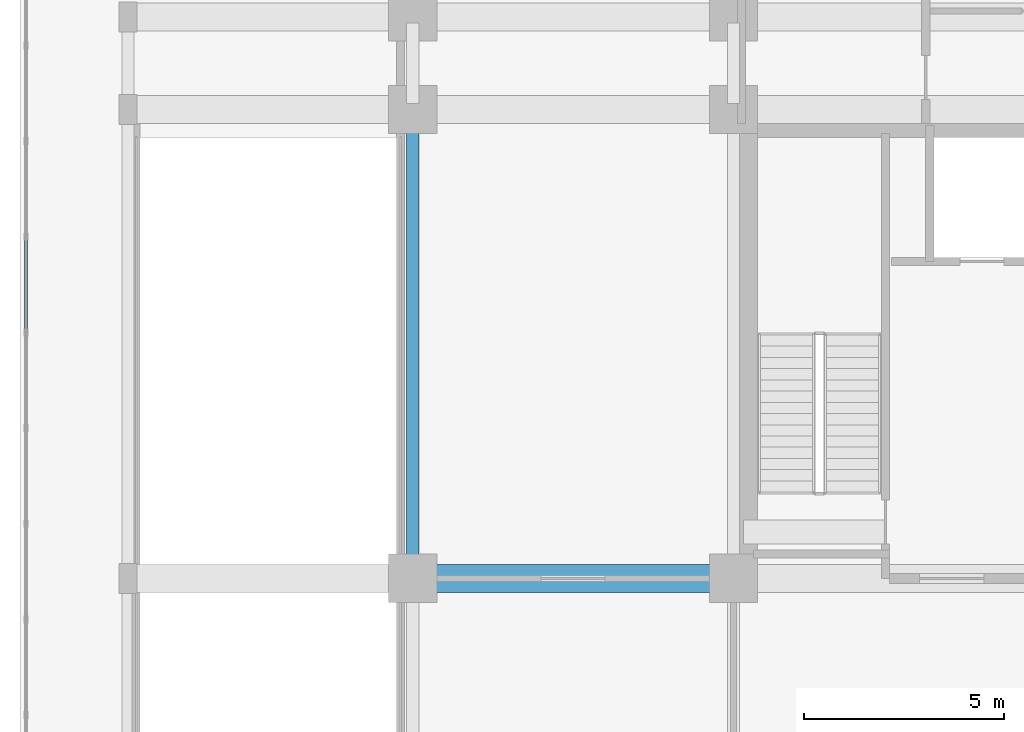
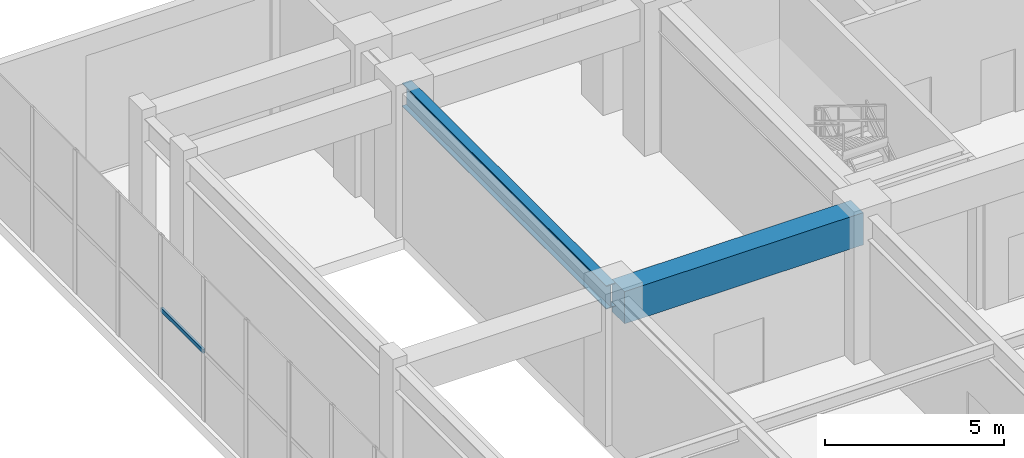
# One storey, part 15 of 40: 2 beams, 1 member, 1 element without a shape of its own.
"""IFC4 building model written with IfcOpenShell, lengths in metres."""

from ifc_helpers import new_model, si_unit, direction, frame, origin, origin_2d, place, context, subcontext, project, spatial, rectangle, hollow_rectangle, i_section, extrude, source, transform, mapped, material, material_profile, profile_set, type_object, element, aggregate, save


model = new_model("IFC4")

# Units and contexts
model_context = context("Model", 3, precision=1e-05, world=origin(), true_north=direction((0.0, 1.0)))
body_context = subcontext(model_context, "Body", "Model", "MODEL_VIEW")
ifc_project = project(units=[si_unit("LENGTHUNIT", "METRE"), si_unit("AREAUNIT", "SQUARE_METRE"), si_unit("VOLUMEUNIT", "CUBIC_METRE"), si_unit("PLANEANGLEUNIT", "RADIAN"), si_unit("MASSUNIT", "GRAM", prefix="KILO")], contexts=[model_context])

# Site, building, storey
site_placement = place(None, origin())
site = spatial("IfcSite", under=ifc_project, at=site_placement, CompositionType="ELEMENT")
building_placement = place(site_placement, origin())
building = spatial("IfcBuilding", under=site, at=building_placement, Name="Trelvane Seafront Commons", CompositionType="ELEMENT")
storey_placement = place(building_placement, origin())
storey = spatial("IfcBuildingStorey", under=building, at=storey_placement, Name="L00", CompositionType="ELEMENT", Elevation=0.0)

# Beams
ifc_material_1 = material(Name="Concrete C50/60", Category="concrete")
ifc_material_profile_1 = material_profile(ifc_material_1, rectangle(XDim=0.699951171875, YDim=1.10009765625, at=origin_2d()), Name="RC-700x1100")
ifc_profile_set_1 = profile_set([ifc_material_profile_1], Name="Concrete C50/60")
beam_type_1 = type_object("IfcBeamType", Name="STR-TBM-RC700x1100", PredefinedType="T_BEAM", material=ifc_profile_set_1)
shared_shape_1 = source(origin(), body_context, "Body", "SweptSolid", [
    extrude(rectangle(XDim=0.699951171875, YDim=1.10009765625, at=origin_2d()), origin(), (0.0, 0.0, 1.0), 7.699951171875),
])
beam_1_placement = place(storey_placement, frame((7.75, 33.39990234375, 4.330078125), z_axis=(1.0, 0.0, 0.0), x_axis=(0.0, 1.0, 0.0)))
element("IfcBeam", 1, at=beam_1_placement, inside=storey, type_object=beam_type_1, Name="L00 Primary Girder G-14", PredefinedType="T_BEAM", context=body_context, shape_type="MappedRepresentation", body=[
    mapped(shared_shape_1, transform((0.0, 0.0, 0.0), x_axis=(1.0, 0.0, 0.0), y_axis=(0.0, 1.0, 0.0), z_axis=(0.0, 0.0, 1.0), scale=1.0)),
])
ifc_material_2 = material(Name="Steel SM355 (S355)", Category="steel")
ifc_material_profile_2 = material_profile(ifc_material_2, i_section(OverallWidth=0.300048828125, OverallDepth=0.800048828125, WebThickness=0.013916015625, FlangeThickness=0.02587890625, at=origin_2d()), Name="H-800x300x14x26")
ifc_profile_set_2 = profile_set([ifc_material_profile_2], Name="Steel SM355 (S355)")
beam_type_2 = type_object("IfcBeamType", Name="STR-BM-H800", PredefinedType="BEAM", material=ifc_profile_set_2)
shared_shape_2 = source(origin(), body_context, "Body", "SweptSolid", [
    extrude(i_section(OverallWidth=0.300048828125, OverallDepth=0.800048828125, WebThickness=0.013916015625, FlangeThickness=0.02587890625, at=origin_2d()), origin(), (0.0, 0.0, 1.0), 11.39990234375),
])
beam_2_placement = place(storey_placement, frame((7.60009765625, 33.550048828125, 4.47998046875), z_axis=(0.0, 1.0, 0.0), x_axis=(-1.0, 0.0, 0.0)))
element("IfcBeam", 2, at=beam_2_placement, inside=storey, type_object=beam_type_2, Name="L00 Primary Girder G-37", PredefinedType="BEAM", context=body_context, shape_type="MappedRepresentation", body=[
    mapped(shared_shape_2, transform((0.0, 0.0, 0.0), x_axis=(1.0, 0.0, 0.0), y_axis=(0.0, 1.0, 0.0), z_axis=(0.0, 0.0, 1.0), scale=1.0)),
])

# Curtain wall, member
ifc_material_3 = material(Name="Anodised pale-silver aluminium", Category="aluminium")
curtain_wall_type = type_object("IfcCurtainWallType", Name="ARCH-CW4-SKYLOBBY", PredefinedType="NOTDEFINED", material=ifc_material_3)
curtain_wall_placement = place(storey_placement, origin())
curtain_wall = element("IfcCurtainWall", 3, at=curtain_wall_placement, inside=storey, type_object=curtain_wall_type, Name="CW-L00-0006", PredefinedType="NOTDEFINED")
ifc_material_profile_3 = material_profile(ifc_material_3, hollow_rectangle(XDim=0.074951171875, YDim=0.139892578125, WallThickness=0.00390625, at=origin_2d()), Name="TRAN-75x140x4")
ifc_profile_set_3 = profile_set([ifc_material_profile_3], Name="Anodised pale-silver aluminium")
member_type = type_object("IfcMemberType", Name="ARCH-CW-TRAN-140", PredefinedType="USERDEFINED", material=ifc_profile_set_3)
shared_shape_3 = source(origin(), body_context, "Body", "SweptSolid", [
    extrude(hollow_rectangle(XDim=0.074951171875, YDim=0.139892578125, WallThickness=0.00390625, at=origin_2d()), origin(), (0.0, 0.0, 1.0), 2.36279296875),
])
member_placement = place(storey_placement, frame((-2.050048828125, 39.547119140625, 2.342041015625), z_axis=(0.0, 1.0, 0.0), x_axis=(-1.0, 0.0, 0.0)))
member = element("IfcMember", 4, at=member_placement, type_object=member_type, Name="CW-L00-0006-T15", ObjectType="TRANSOM", PredefinedType="USERDEFINED", context=body_context, shape_type="MappedRepresentation", body=[
    mapped(shared_shape_3, transform((0.0, 0.0, 0.0), x_axis=(1.0, 0.0, 0.0), y_axis=(0.0, 1.0, 0.0), z_axis=(0.0, 0.0, 1.0), scale=1.0)),
])
aggregate(curtain_wall, [member])

save(model, "model.ifc")
